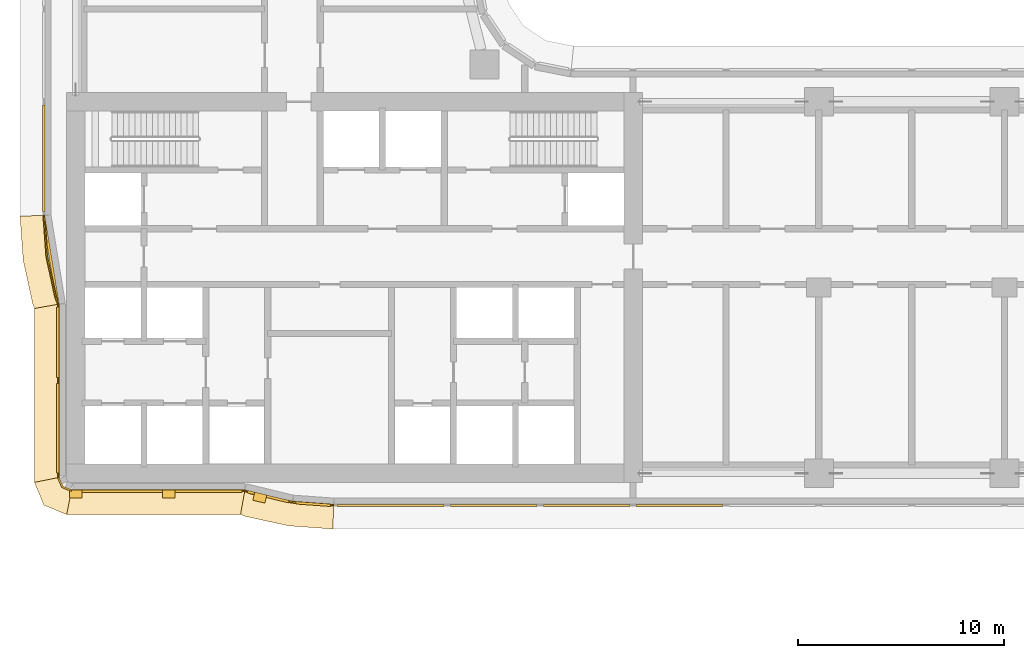
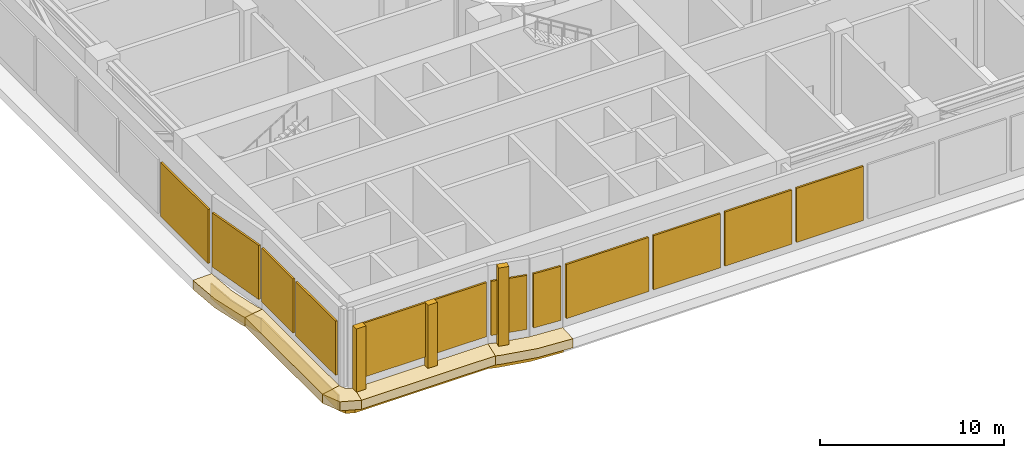
# One storey, part 15 of 23: 13 coverings, 12 shading devices.
"""IFC4 building model written with IfcOpenShell, lengths in metres."""

from ifc_helpers import new_model, si_unit, direction, frame, origin, origin_2d, place, context, subcontext, project, spatial, polyline, rectangle, outline, extrude, material, layer, layer_set, type_object, element, save


model = new_model("IFC4")

# Units and contexts
model_context = context("Model", 3, precision=1e-05, world=origin(), true_north=direction((0.0, 1.0)))
body_context = subcontext(model_context, "Body", "Model", "MODEL_VIEW")
ifc_project = project(units=[si_unit("LENGTHUNIT", "METRE"), si_unit("AREAUNIT", "SQUARE_METRE"), si_unit("VOLUMEUNIT", "CUBIC_METRE"), si_unit("PLANEANGLEUNIT", "RADIAN"), si_unit("MASSUNIT", "GRAM", prefix="KILO")], contexts=[model_context])

# Site, building, storey
site_placement = place(None, origin())
site = spatial("IfcSite", under=ifc_project, at=site_placement, CompositionType="ELEMENT")
building_placement = place(site_placement, origin())
building = spatial("IfcBuilding", under=site, at=building_placement, Name="Ogive Portal Towers", CompositionType="ELEMENT")
storey_placement = place(building_placement, frame((0.0, 0.0, 81.60009765625)))
storey = spatial("IfcBuildingStorey", under=building, at=storey_placement, Name="L19", CompositionType="ELEMENT", Elevation=81.60009765625)

# Shading devices
ifc_material_1 = material(Name="Aluminium 6063 anodised", Category="aluminium")
ifc_layer_1 = layer(ifc_material_1, 0.1201171875)
ifc_layer_set_1 = layer_set([ifc_layer_1], Name="LOUVRE BANK ALUMINIUM")
shading_device_type = type_object("IfcShadingDeviceType", Name="LOUVRE BANK ALUMINIUM", PredefinedType="USERDEFINED", material=ifc_layer_set_1)
shading_device_1_placement = place(storey_placement, frame((30.639892578125, 27.849609375, 0.599853515625), z_axis=(0.0, 0.0, 1.0), x_axis=(0.0, -1.0, 0.0)))
element("IfcShadingDevice", 1, at=shading_device_1_placement, inside=storey, type_object=shading_device_type, Name="Louvre bank 1", ObjectType="LOUVRE", PredefinedType="USERDEFINED", context=body_context, shape_type="SweptSolid", body=[
    extrude(rectangle(XDim=3.3994140625, YDim=0.1201171875, at=origin_2d()), origin(), (0.0, 0.0, 1.0), 3.60009765625),
])
for number, where, z_axis, x_axis, name in (
    (2, (30.639892578125, 23.679931640625, 0.599853515625), (0.0, 0.0, 1.0), (0.0, -1.0, 0.0), "Louvre bank 2"),
    (3, (33.679931640625, 20.639892578125, 0.599853515625), (0.0, 0.0, 1.0), (1.0, 0.0, 0.0), "Louvre bank 1"),
):
    element("IfcShadingDevice", number, at=place(storey_placement, frame(where, z_axis=z_axis, x_axis=x_axis)), inside=storey, type_object=shading_device_type, Name=name, ObjectType="LOUVRE", PredefinedType="USERDEFINED", context=body_context, shape_type="SweptSolid", body=[
        extrude(rectangle(XDim=4.34033203125, YDim=0.1201171875, at=origin_2d()), origin(), (0.0, 0.0, 1.0), 3.60009765625),
    ])
shading_device_2_placement = place(storey_placement, frame((37.849609375, 20.639892578125, 0.599853515625), z_axis=(0.0, 0.0, 1.0), x_axis=(1.0, 0.0, 0.0)))
element("IfcShadingDevice", 4, at=shading_device_2_placement, inside=storey, type_object=shading_device_type, Name="Louvre bank 2", ObjectType="LOUVRE", PredefinedType="USERDEFINED", context=body_context, shape_type="SweptSolid", body=[
    extrude(rectangle(XDim=3.3994140625, YDim=0.1201171875, at=origin_2d()), origin(), (0.0, 0.0, 1.0), 3.60009765625),
])
shading_device_3_placement = place(storey_placement, frame((40.827392578125, 20.365966796875, 0.599853515625), z_axis=(0.0, 0.0, 1.0), x_axis=(0.972048056714, -0.234781974263, 0.0)))
element("IfcShadingDevice", 5, at=shading_device_3_placement, inside=storey, type_object=shading_device_type, Name="Louvre bank 1", ObjectType="LOUVRE", PredefinedType="USERDEFINED", context=body_context, shape_type="SweptSolid", body=[
    extrude(rectangle(XDim=2.049560546875, YDim=0.1201171875, at=origin_2d()), origin(), (0.0, 0.0, 1.0), 3.60009765625),
])
shading_device_4_placement = place(storey_placement, frame((43.006591796875, 20.010986328125, 0.599853515625), z_axis=(0.0, 0.0, 1.0), x_axis=(0.99745211461, -0.071339183201, 0.0)))
element("IfcShadingDevice", 6, at=shading_device_4_placement, inside=storey, type_object=shading_device_type, Name="Louvre bank 1", ObjectType="LOUVRE", PredefinedType="USERDEFINED", context=body_context, shape_type="SweptSolid", body=[
    extrude(rectangle(XDim=1.661865234375, YDim=0.1201171875, at=origin_2d()), origin(), (0.0, 0.0, 1.0), 3.60009765625),
])
shading_device_5_placement = place(storey_placement, frame((46.75537109375, 19.93994140625, 0.599853515625), z_axis=(0.0, 0.0, 1.0), x_axis=(1.0, 0.0, 0.0)))
element("IfcShadingDevice", 7, at=shading_device_5_placement, inside=storey, type_object=shading_device_type, Name="Louvre bank 1", ObjectType="LOUVRE", PredefinedType="USERDEFINED", context=body_context, shape_type="SweptSolid", body=[
    extrude(rectangle(XDim=5.189208984375, YDim=0.1201171875, at=origin_2d()), origin(), (0.0, 0.0, 1.0), 3.60009765625),
])
for number, where, z_axis, x_axis, name in (
    (8, (51.75, 19.93994140625, 0.599853515625), (0.0, 0.0, 1.0), (1.0, 0.0, 0.0), "Louvre bank 2"),
    (9, (56.25, 19.93994140625, 0.599853515625), (0.0, 0.0, 1.0), (1.0, 0.0, 0.0), "Louvre bank 3"),
    (10, (60.75, 19.93994140625, 0.599853515625), (0.0, 0.0, 1.0), (1.0, 0.0, 0.0), "Louvre bank 4"),
):
    element("IfcShadingDevice", number, at=place(storey_placement, frame(where, z_axis=z_axis, x_axis=x_axis)), inside=storey, type_object=shading_device_type, Name=name, ObjectType="LOUVRE", PredefinedType="USERDEFINED", context=body_context, shape_type="SweptSolid", body=[
        extrude(rectangle(XDim=4.199951171875, YDim=0.1201171875, at=origin_2d()), origin(), (0.0, 0.0, 1.0), 3.60009765625),
    ])
shading_device_6_placement = place(storey_placement, frame((29.93994140625, 36.76220703125, 0.599853515625), z_axis=(0.0, 0.0, 1.0), x_axis=(0.0, -1.0, 0.0)))
element("IfcShadingDevice", 11, at=shading_device_6_placement, inside=storey, type_object=shading_device_type, Name="Louvre bank 7", ObjectType="LOUVRE", PredefinedType="USERDEFINED", context=body_context, shape_type="SweptSolid", body=[
    extrude(rectangle(XDim=5.17578125, YDim=0.1201171875, at=origin_2d()), origin(), (0.0, 0.0, 1.0), 3.60009765625),
])
shading_device_7_placement = place(storey_placement, frame((30.292724609375, 31.828125, 0.599853515625), z_axis=(0.0, 0.0, 1.0), x_axis=(0.160654533408, -0.987010699484, 0.0)))
element("IfcShadingDevice", 12, at=shading_device_7_placement, inside=storey, type_object=shading_device_type, Name="Louvre bank 1", ObjectType="LOUVRE", PredefinedType="USERDEFINED", context=body_context, shape_type="SweptSolid", body=[
    extrude(rectangle(XDim=4.032958984375, YDim=0.1201171875, at=origin_2d()), origin(), (0.0, 0.0, 1.0), 3.60009765625),
])

# Coverings
ifc_material_2 = material(Name="Limestone cladding on lightweight block wall", Category="masonry")
ifc_layer_2 = layer(ifc_material_2, 0.39990234375)
ifc_layer_set_2 = layer_set([ifc_layer_2], Name="SPINE PIER STONE")
covering_type_1 = type_object("IfcCoveringType", Name="SPINE PIER STONE", PredefinedType="CLADDING", material=ifc_layer_set_2)
for number, where, z_axis, x_axis, name in (
    (13, (31.5, 20.5, 0.0), (0.0, 0.0, 1.0), (1.0, 0.0, 0.0), "SPINE PIER"),
    (14, (36.0, 20.5, 0.0), (0.0, 0.0, 1.0), (1.0, 0.0, 0.0), "SPINE PIER"),
):
    element("IfcCovering", number, at=place(storey_placement, frame(where, z_axis=z_axis, x_axis=x_axis)), inside=storey, type_object=covering_type_1, Name=name, PredefinedType="CLADDING", context=body_context, shape_type="SweptSolid", body=[
        extrude(rectangle(XDim=0.60009765625, YDim=0.39990234375, at=origin_2d()), origin(), (0.0, 0.0, 1.0), 4.199951171875),
    ])
covering_1_placement = place(storey_placement, frame((40.417724609375, 20.32080078125, 0.0), z_axis=(0.0, 0.0, 1.0), x_axis=(0.972047938929, -0.234782461918, 0.0)))
element("IfcCovering", 15, at=covering_1_placement, inside=storey, type_object=covering_type_1, Name="SPINE PIER", PredefinedType="CLADDING", context=body_context, shape_type="SweptSolid", body=[
    extrude(rectangle(XDim=0.60009765625, YDim=0.39990234375, at=origin_2d()), origin(), (0.0, 0.0, 1.0), 5.199951171875),
])
ifc_layer_3 = layer(ifc_material_2, 0.080078125)
ifc_layer_set_3 = layer_set([ifc_layer_3], Name="STONE SPANDREL 80")
covering_type_2 = type_object("IfcCoveringType", Name="STONE SPANDREL 80", PredefinedType="CLADDING", material=ifc_layer_set_3)
covering_2_placement = place(storey_placement, frame((0.0, 0.0, -1.60009765625)))
element("IfcCovering", 16, at=covering_2_placement, inside=storey, type_object=covering_type_2, Name="Stone spandrel A1-F01", PredefinedType="CLADDING", context=body_context, shape_type="SweptSolid", body=[
    extrude(outline(polyline([(30.699951171875, 29.699462890625), (30.699951171875, 21.300048828125), (30.6201171875, 21.2841796875), (30.6201171875, 29.68505859375), (30.699951171875, 29.699462890625)])), origin(), (0.0, 0.0, 1.0), 1.0),
])
covering_3_placement = place(storey_placement, frame((0.0, 0.0, -1.60009765625)))
element("IfcCovering", 17, at=covering_3_placement, inside=storey, type_object=covering_type_2, Name="Stone spandrel A1-F02", PredefinedType="CLADDING", context=body_context, shape_type="SweptSolid", body=[
    extrude(outline(polyline([(30.699951171875, 21.300048828125), (30.875732421875, 20.875732421875), (31.300048828125, 20.699951171875), (31.2841796875, 20.6201171875), (30.814453125, 20.814453125), (30.6201171875, 21.2841796875), (30.699951171875, 21.300048828125)])), origin(), (0.0, 0.0, 1.0), 1.0),
])
covering_4_placement = place(storey_placement, frame((0.0, 0.0, -1.60009765625)))
element("IfcCovering", 18, at=covering_4_placement, inside=storey, type_object=covering_type_2, Name="Stone spandrel A1-F03", PredefinedType="CLADDING", context=body_context, shape_type="SweptSolid", body=[
    extrude(outline(polyline([(31.300048828125, 20.699951171875), (39.699462890625, 20.699951171875), (39.68505859375, 20.6201171875), (31.2841796875, 20.6201171875), (31.300048828125, 20.699951171875)])), origin(), (0.0, 0.0, 1.0), 1.0),
])
covering_5_placement = place(storey_placement, frame((0.0, 0.0, -1.60009765625)))
element("IfcCovering", 19, at=covering_5_placement, inside=storey, type_object=covering_type_2, Name="Stone spandrel A1-F04", PredefinedType="CLADDING", context=body_context, shape_type="SweptSolid", body=[
    extrude(outline(polyline([(39.699462890625, 20.699951171875), (40.0556640625, 20.567138671875), (42.007568359375, 20.142578125), (44.0, 20.0), (43.9970703125, 19.919921875), (41.99609375, 20.063232421875), (40.033203125, 20.490234375), (39.68505859375, 20.6201171875), (39.699462890625, 20.699951171875)])), origin(), (0.0, 0.0, 1.0), 1.0),
])
covering_6_placement = place(storey_placement, frame((0.0, 0.0, -1.60009765625)))
element("IfcCovering", 20, at=covering_6_placement, inside=storey, type_object=covering_type_2, Name="Stone spandrel A1-F14", PredefinedType="CLADDING", context=body_context, shape_type="SweptSolid", body=[
    extrude(outline(polyline([(30.0, 34.0), (30.142578125, 32.007568359375), (30.567138671875, 30.0556640625), (30.699951171875, 29.699462890625), (30.6201171875, 29.68505859375), (30.490234375, 30.033203125), (30.063232421875, 31.99609375), (29.919921875, 33.9970703125), (30.0, 34.0)])), origin(), (0.0, 0.0, 1.0), 1.0),
])
ifc_layer_4 = layer(ifc_material_2, 0.60009765625)
ifc_layer_set_4 = layer_set([ifc_layer_4], Name="SUNSHADE LIP 600")
covering_type_3 = type_object("IfcCoveringType", Name="SUNSHADE LIP 600", PredefinedType="CLADDING", material=ifc_layer_set_4)
covering_7_placement = place(storey_placement, frame((0.0, 0.0, -0.60009765625)))
element("IfcCovering", 21, at=covering_7_placement, inside=storey, type_object=covering_type_3, Name="Sunshade lip A1-F01", PredefinedType="CLADDING", context=body_context, shape_type="SweptSolid", body=[
    extrude(outline(polyline([(30.699951171875, 29.699462890625), (30.699951171875, 21.300048828125), (29.5, 21.061279296875), (29.5, 29.48291015625), (30.699951171875, 29.699462890625)])), origin(), (0.0, 0.0, 1.0), 0.60009765625),
])
covering_8_placement = place(storey_placement, frame((0.0, 0.0, -0.60009765625)))
element("IfcCovering", 22, at=covering_8_placement, inside=storey, type_object=covering_type_3, Name="Sunshade lip A1-F02", PredefinedType="CLADDING", context=body_context, shape_type="SweptSolid", body=[
    extrude(outline(polyline([(30.699951171875, 21.300048828125), (30.875732421875, 20.875732421875), (31.300048828125, 20.699951171875), (31.061279296875, 19.5), (29.957275390625, 19.957275390625), (29.5, 21.061279296875), (30.699951171875, 21.300048828125)])), origin(), (0.0, 0.0, 1.0), 0.60009765625),
])
covering_9_placement = place(storey_placement, frame((0.0, 0.0, -0.60009765625)))
element("IfcCovering", 23, at=covering_9_placement, inside=storey, type_object=covering_type_3, Name="Sunshade lip A1-F03", PredefinedType="CLADDING", context=body_context, shape_type="SweptSolid", body=[
    extrude(outline(polyline([(31.300048828125, 20.699951171875), (39.699462890625, 20.699951171875), (39.48291015625, 19.5), (31.061279296875, 19.5), (31.300048828125, 20.699951171875)])), origin(), (0.0, 0.0, 1.0), 0.60009765625),
])
covering_10_placement = place(storey_placement, frame((0.0, 0.0, -0.60009765625)))
element("IfcCovering", 24, at=covering_10_placement, inside=storey, type_object=covering_type_3, Name="Sunshade lip A1-F04", PredefinedType="CLADDING", context=body_context, shape_type="SweptSolid", body=[
    extrude(outline(polyline([(39.699462890625, 20.699951171875), (40.0556640625, 20.567138671875), (42.007568359375, 20.142578125), (44.0, 20.0), (43.95703125, 18.800048828125), (41.83642578125, 18.95166015625), (39.716796875, 19.412841796875), (39.48291015625, 19.5), (39.699462890625, 20.699951171875)])), origin(), (0.0, 0.0, 1.0), 0.60009765625),
])
covering_11_placement = place(storey_placement, frame((0.0, 0.0, -0.60009765625)))
element("IfcCovering", 25, at=covering_11_placement, inside=storey, type_object=covering_type_3, Name="Sunshade lip A1-F14", PredefinedType="CLADDING", context=body_context, shape_type="SweptSolid", body=[
    extrude(outline(polyline([(30.0, 34.0), (30.142578125, 32.007568359375), (30.567138671875, 30.0556640625), (30.699951171875, 29.699462890625), (29.5, 29.48291015625), (29.412841796875, 29.716796875), (28.95166015625, 31.83642578125), (28.800048828125, 33.95703125), (30.0, 34.0)])), origin(), (0.0, 0.0, 1.0), 0.60009765625),
])

save(model, "model.ifc")
